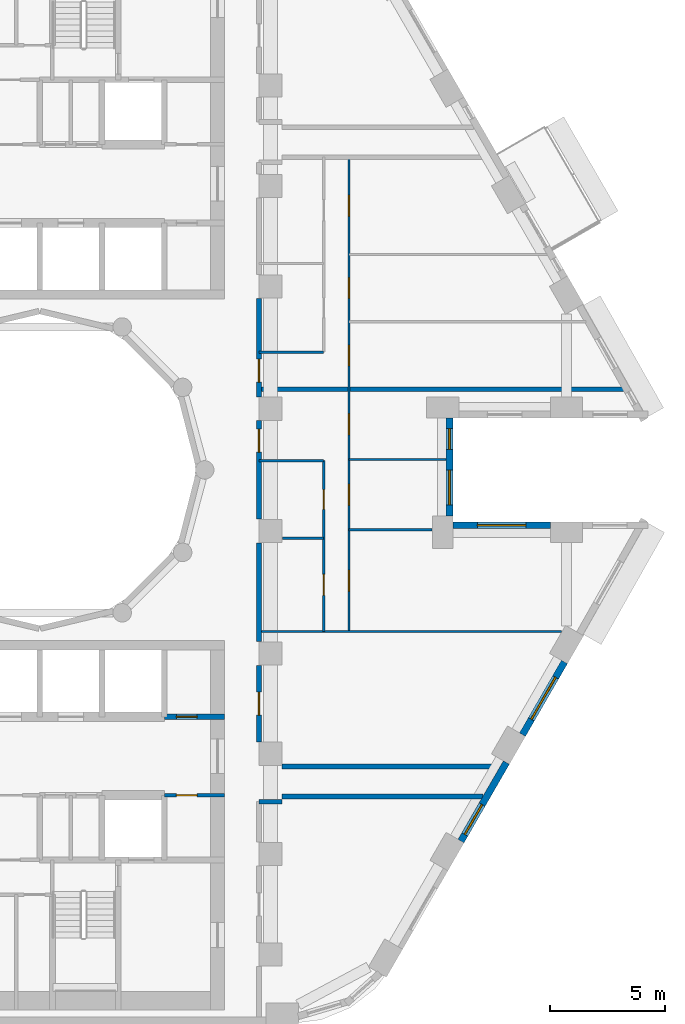
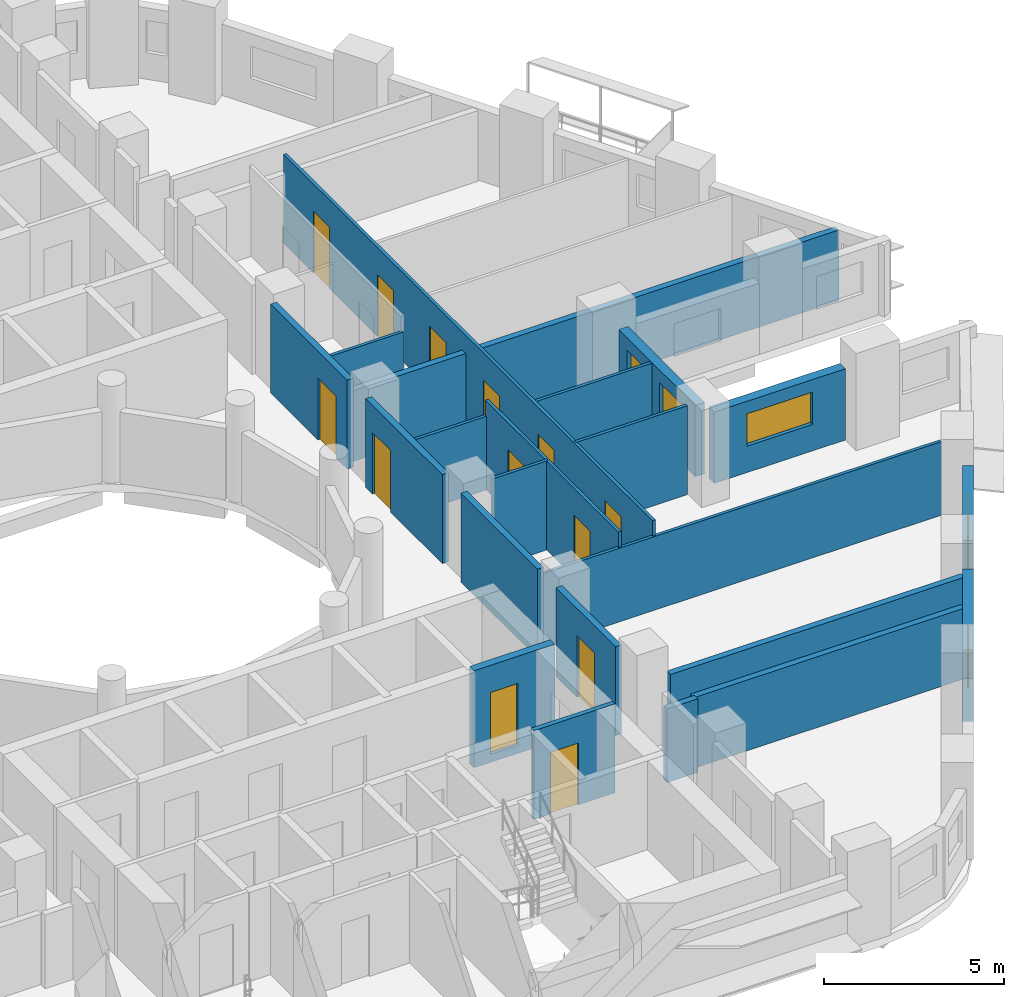
# One storey, part 5 of 13: 22 walls, 13 doors, 5 windows, 18 openings.
"""IFC4 building model written with IfcOpenShell, lengths in metres."""

from ifc_helpers import new_model, si_unit, direction, frame, frame_2d, origin, place, context, subcontext, project, spatial, rectangle, extrude, material, layer, layer_set, type_object, element, fill, save


model = new_model("IFC4")

# Units and contexts
model_context = context("Model", 3, precision=1e-05, world=origin(), true_north=direction((0.0, 1.0)))
body_context = subcontext(model_context, "Body", "Model", "MODEL_VIEW")
ifc_project = project(units=[si_unit("LENGTHUNIT", "METRE"), si_unit("AREAUNIT", "SQUARE_METRE"), si_unit("VOLUMEUNIT", "CUBIC_METRE"), si_unit("PLANEANGLEUNIT", "RADIAN"), si_unit("MASSUNIT", "GRAM", prefix="KILO")], contexts=[model_context])

# Site, building, storey
site_placement = place(None, origin())
site = spatial("IfcSite", under=ifc_project, at=site_placement, CompositionType="ELEMENT")
building_placement = place(site_placement, origin())
building = spatial("IfcBuilding", under=site, at=building_placement, Name="Nakaniwa Court", CompositionType="ELEMENT")
storey_placement = place(building_placement, frame((0.0, 0.0, 84.300048828125)))
storey = spatial("IfcBuildingStorey", under=building, at=storey_placement, Name="L21", CompositionType="ELEMENT", Elevation=84.300048828125)

# Wall, opening, door
ifc_material_1 = material(Name="Acoustic double stud partition")
ifc_layer_1 = layer(ifc_material_1, 0.199951171875)
ifc_layer_set_1 = layer_set([ifc_layer_1], Name="Acoustic double stud partition")
wall_type_1 = type_object("IfcWallType", Name="Acoustic double stud partition 200", PredefinedType="PARTITIONING", material=ifc_layer_set_1)
wall_1_placement = place(storey_placement, frame((89.5, 71.532958984375, 0.0), z_axis=(0.0, 0.0, 1.0), x_axis=(0.0, -1.0, 0.0)))
wall_1 = element("IfcWall", 1, at=wall_1_placement, inside=storey, type_object=wall_type_1, Name="Partition PW-072", PredefinedType="PARTITIONING", context=body_context, shape_type="SweptSolid", body=[
    extrude(rectangle(XDim=3.31591796875, YDim=0.199951171875, at=frame_2d((1.657958984375, 0.0))), origin(), (0.0, 0.0, 1.0), 3.02490234375),
])
opening_1_placement = place(wall_1_placement, frame((1.157958984375, 0.0, 0.0)))
opening_1 = element("IfcOpeningElement", 2, at=opening_1_placement, cuts=wall_1, Name="Opening D-02-01", PredefinedType="OPENING", context=body_context, shape_type="SweptSolid", body=[
    extrude(rectangle(XDim=1.0, YDim=2.10009765625, at=frame_2d((0.5, 1.050048828125))), frame((0.0, 0.10986328125, 0.0), z_axis=(0.0, -1.0, 0.0), x_axis=(1.0, 0.0, 0.0)), (0.0, 0.0, 1.0), 0.219970703125),
])
ifc_material_2 = material(Name="Solid core timber door set, black veneer", Category="wood")
door_type_1 = type_object("IfcDoorType", Name="Internal door 1000", OperationType="NOTDEFINED", PredefinedType="DOOR", material=ifc_material_2)
door_1_placement = place(opening_1_placement, origin())
door_1 = element("IfcDoor", 3, at=door_1_placement, inside=storey, type_object=door_type_1, Name="Door D-02-01 L21-027", OperationType="SINGLE_SWING_RIGHT", OverallHeight=2.10009765625, OverallWidth=1.0, PredefinedType="DOOR", context=body_context, shape_type="SweptSolid", body=[
    extrude(rectangle(XDim=1.0, YDim=2.10009765625, at=frame_2d((0.5, 1.050048828125))), frame((0.0, 0.02490234375, 0.0), z_axis=(0.0, -1.0, 0.0), x_axis=(1.0, 0.0, 0.0)), (0.0, 0.0, 1.0), 0.050048828125),
])
fill(opening_1, door_1)

# Wall
wall_2_placement = place(storey_placement, frame((89.5, 72.56689453125, 0.0), z_axis=(0.0, 0.0, 1.0), x_axis=(0.0, 1.0, 0.0)))
element("IfcWall", 4, at=wall_2_placement, inside=storey, type_object=wall_type_1, Name="Partition PW-073", PredefinedType="PARTITIONING", context=body_context, shape_type="SweptSolid", body=[
    extrude(rectangle(XDim=4.26611328125, YDim=0.199951171875, at=frame_2d((2.133056640625, 0.0))), origin(), (0.0, 0.0, 1.0), 3.02490234375),
])

# Wall, opening, door
wall_3_placement = place(storey_placement, frame((89.5, 82.133056640625, 0.0), z_axis=(0.0, 0.0, 1.0), x_axis=(0.0, -1.0, 0.0)))
wall_3 = element("IfcWall", 5, at=wall_3_placement, inside=storey, type_object=wall_type_1, Name="Partition PW-074", PredefinedType="PARTITIONING", context=body_context, shape_type="SweptSolid", body=[
    extrude(rectangle(XDim=4.26611328125, YDim=0.199951171875, at=frame_2d((2.133056640625, 0.0))), origin(), (0.0, 0.0, 1.0), 3.02490234375),
])
opening_2_placement = place(wall_3_placement, frame((0.367919921875, 0.0, 0.0)))
opening_2 = element("IfcOpeningElement", 6, at=opening_2_placement, cuts=wall_3, Name="Opening D-01-01", PredefinedType="OPENING", context=body_context, shape_type="SweptSolid", body=[
    extrude(rectangle(XDim=1.0, YDim=2.10009765625, at=frame_2d((0.5, 1.050048828125))), frame((0.0, 0.10986328125, 0.0), z_axis=(0.0, -1.0, 0.0), x_axis=(1.0, 0.0, 0.0)), (0.0, 0.0, 1.0), 0.219970703125),
])
door_type_2 = type_object("IfcDoorType", Name="Flat entrance door 1000", OperationType="NOTDEFINED", PredefinedType="DOOR", material=ifc_material_2)
door_2_placement = place(opening_2_placement, origin())
door_2 = element("IfcDoor", 7, at=door_2_placement, inside=storey, type_object=door_type_2, Name="Door D-01-01 L21-028", OperationType="SINGLE_SWING_LEFT", OverallHeight=2.10009765625, OverallWidth=1.0, PredefinedType="DOOR", context=body_context, shape_type="SweptSolid", body=[
    extrude(rectangle(XDim=1.0, YDim=2.10009765625, at=frame_2d((0.5, 1.050048828125))), frame((0.0, 0.02490234375, 0.0), z_axis=(0.0, -1.0, 0.0), x_axis=(1.0, 0.0, 0.0)), (0.0, 0.0, 1.0), 0.050048828125),
])
fill(opening_2, door_2)

wall_4_placement = place(storey_placement, frame((89.5, 87.43310546875, 0.0), z_axis=(0.0, 0.0, 1.0), x_axis=(0.0, -1.0, 0.0)))
wall_4 = element("IfcWall", 8, at=wall_4_placement, inside=storey, type_object=wall_type_1, Name="Partition PW-075", PredefinedType="PARTITIONING", context=body_context, shape_type="SweptSolid", body=[
    extrude(rectangle(XDim=4.26611328125, YDim=0.199951171875, at=frame_2d((2.133056640625, 0.0))), origin(), (0.0, 0.0, 1.0), 3.02490234375),
])
opening_3_placement = place(wall_4_placement, frame((2.633056640625, 0.0, 0.0)))
opening_3 = element("IfcOpeningElement", 9, at=opening_3_placement, cuts=wall_4, Name="Opening D-01-02", PredefinedType="OPENING", context=body_context, shape_type="SweptSolid", body=[
    extrude(rectangle(XDim=1.0, YDim=2.10009765625, at=frame_2d((0.5, 1.050048828125))), frame((0.0, 0.10986328125, 0.0), z_axis=(0.0, -1.0, 0.0), x_axis=(1.0, 0.0, 0.0)), (0.0, 0.0, 1.0), 0.219970703125),
])
door_3_placement = place(opening_3_placement, origin())
door_3 = element("IfcDoor", 10, at=door_3_placement, inside=storey, type_object=door_type_2, Name="Door D-01-02 L21-034", OperationType="SINGLE_SWING_LEFT", OverallHeight=2.10009765625, OverallWidth=1.0, PredefinedType="DOOR", context=body_context, shape_type="SweptSolid", body=[
    extrude(rectangle(XDim=1.0, YDim=2.10009765625, at=frame_2d((0.5, 1.050048828125))), frame((0.0, 0.02490234375, 0.0), z_axis=(0.0, -1.0, 0.0), x_axis=(1.0, 0.0, 0.0)), (0.0, 0.0, 1.0), 0.050048828125),
])
fill(opening_3, door_3)

# Walls
wall_5_placement = place(storey_placement, frame((90.5, 67.14990234375, 0.0), z_axis=(0.0, 0.0, 1.0), x_axis=(1.0, 0.0, 0.0)))
element("IfcWall", 11, at=wall_5_placement, inside=storey, type_object=wall_type_1, Name="Partition PW-090", PredefinedType="PARTITIONING", context=body_context, shape_type="SweptSolid", body=[
    extrude(rectangle(XDim=9.447509765625, YDim=0.199951171875, at=frame_2d((4.7236328125, 0.0))), origin(), (0.0, 0.0, 1.0), 2.405029296875),
])
wall_6_placement = place(storey_placement, frame((90.5, 65.85009765625, 0.0), z_axis=(0.0, 0.0, 1.0), x_axis=(1.0, 0.0, 0.0)))
element("IfcWall", 12, at=wall_6_placement, inside=storey, type_object=wall_type_1, Name="Partition PW-092", PredefinedType="PARTITIONING", context=body_context, shape_type="SweptSolid", body=[
    extrude(rectangle(XDim=8.697021484375, YDim=0.199951171875, at=frame_2d((4.3486328125, 0.0))), origin(), (0.0, 0.0, 1.0), 2.405029296875),
])
wall_7_placement = place(storey_placement, frame((89.5, 65.625, 0.0), z_axis=(0.0, 0.0, 1.0), x_axis=(1.0, 0.0, 0.0)))
element("IfcWall", 13, at=wall_7_placement, inside=storey, type_object=wall_type_1, Name="Partition PW-094", PredefinedType="PARTITIONING", context=body_context, shape_type="SweptSolid", body=[
    extrude(rectangle(XDim=1.0, YDim=0.199951171875, at=frame_2d((0.5, 0.0))), origin(), (0.0, 0.0, 1.0), 2.5048828125),
])
wall_8_placement = place(storey_placement, frame((89.5, 83.5, 0.0), z_axis=(0.0, 0.0, 1.0), x_axis=(1.0, 0.0, 0.0)))
element("IfcWall", 14, at=wall_8_placement, inside=storey, type_object=wall_type_1, Name="Partition PW-113", PredefinedType="PARTITIONING", context=body_context, shape_type="SweptSolid", body=[
    extrude(rectangle(XDim=15.845703125, YDim=0.199951171875, at=frame_2d((7.9228515625, 0.0))), origin(), (0.0, 0.0, 1.0), 2.405029296875),
])

# Wall, opening, window
ifc_material_3 = material(Name="Charcoal ceramic cladding")
ifc_layer_2 = layer(ifc_material_3, 0.02, Name="Ceramic cladding")
ifc_material_4 = material(Name="Ventilated air cavity")
ifc_layer_3 = layer(ifc_material_4, 0.04, ventilated=True, Name="Ventilated cavity")
ifc_material_5 = material(Name="Mineral wool insulation")
ifc_layer_4 = layer(ifc_material_5, 0.1, Name="Insulation")
ifc_material_6 = material(Name="Cement bonded sheathing board")
ifc_layer_5 = layer(ifc_material_6, 0.012, Name="Sheathing")
ifc_material_7 = material(Name="Cold-formed galvanised stud frame with mineral wool infill")
ifc_layer_6 = layer(ifc_material_7, 0.1, Name="Stud frame")
ifc_material_8 = material(Name="Fire-rated gypsum plasterboard lining")
ifc_layer_7 = layer(ifc_material_8, 0.028, Name="Lining")
ifc_layer_set_2 = layer_set([ifc_layer_2, ifc_layer_3, ifc_layer_4, ifc_layer_5, ifc_layer_6, ifc_layer_7], Name="Charcoal ceramic faced external wall system")
wall_type_2 = type_object("IfcWallType", Name="Black ceramic faced external wall 300", PredefinedType="SOLIDWALL", material=ifc_layer_set_2)
wall_9_placement = place(storey_placement, frame((98.25341796875, 63.91552734375, 0.0), z_axis=(0.0, 0.0, 1.0), x_axis=(0.499957037901, 0.866050206543, 0.0)))
wall_9 = element("IfcWall", 15, at=wall_9_placement, inside=storey, type_object=wall_type_2, Name="L21 external wall 30", PredefinedType="SOLIDWALL", context=body_context, shape_type="SweptSolid", body=[
    extrude(rectangle(XDim=3.933837890625, YDim=0.300048828125, at=frame_2d((1.966796875, 0.0))), origin(), (0.0, 0.0, 1.0), 2.425048828125),
])
opening_4_placement = place(wall_9_placement, frame((0.32958984375, 0.0, 0.89990234375)))
opening_4 = element("IfcOpeningElement", 16, at=opening_4_placement, cuts=wall_9, Name="Opening W5.30", PredefinedType="OPENING", context=body_context, shape_type="SweptSolid", body=[
    extrude(rectangle(XDim=1.5, YDim=1.10009765625, at=frame_2d((0.75, 0.550048828125))), frame((0.0, 0.159912109375, 0.0), z_axis=(0.0, -1.0, 0.0), x_axis=(1.0, 0.0, 0.0)), (0.0, 0.0, 1.0), 0.320068359375),
])
ifc_material_9 = material(Name="Black anodised aluminium frame with dark low-E laminated double glazing", Category="aluminium")
window_type_1 = type_object("IfcWindowType", Name="Dark glass window 1500x1100 sill 900", PartitioningType="SINGLE_PANEL", PredefinedType="WINDOW", material=ifc_material_9)
window_1_placement = place(opening_4_placement, origin())
window_1 = element("IfcWindow", 17, at=window_1_placement, inside=storey, type_object=window_type_1, Name="L21 habitable room window 30-0", OverallHeight=1.10009765625, OverallWidth=1.5, PartitioningType="SINGLE_PANEL", PredefinedType="WINDOW", context=body_context, shape_type="SweptSolid", body=[
    extrude(rectangle(XDim=1.5, YDim=1.10009765625, at=frame_2d((0.75, 0.550048828125))), frame((0.0, 0.030029296875, 0.0), z_axis=(0.0, -1.0, 0.0), x_axis=(1.0, 0.0, 0.0)), (0.0, 0.0, 1.0), 0.06005859375),
])
fill(opening_4, window_1)

wall_10_placement = place(storey_placement, frame((100.916259765625, 68.528076171875, 0.0), z_axis=(0.0, 0.0, 1.0), x_axis=(0.500009139881, 0.866020126807, 0.0)))
wall_10 = element("IfcWall", 18, at=wall_10_placement, inside=storey, type_object=wall_type_2, Name="L21 external wall 31", PredefinedType="SOLIDWALL", context=body_context, shape_type="SweptSolid", body=[
    extrude(rectangle(XDim=3.63671875, YDim=0.300048828125, at=frame_2d((1.818359375, 0.0))), origin(), (0.0, 0.0, 1.0), 2.425048828125),
])
opening_5_placement = place(wall_10_placement, frame((0.768310546875, 0.0, 0.89990234375)))
opening_5 = element("IfcOpeningElement", 19, at=opening_5_placement, cuts=wall_10, Name="Opening W7.31", PredefinedType="OPENING", context=body_context, shape_type="SweptSolid", body=[
    extrude(rectangle(XDim=2.10009765625, YDim=1.10009765625, at=frame_2d((1.050048828125, 0.550048828125))), frame((0.0, 0.159912109375, 0.0), z_axis=(0.0, -1.0, 0.0), x_axis=(1.0, 0.0, 0.0)), (0.0, 0.0, 1.0), 0.320068359375),
])
window_type_2 = type_object("IfcWindowType", Name="Dark glass window 2100x1100 sill 900", PartitioningType="SINGLE_PANEL", PredefinedType="WINDOW", material=ifc_material_9)
window_2_placement = place(opening_5_placement, origin())
window_2 = element("IfcWindow", 20, at=window_2_placement, inside=storey, type_object=window_type_2, Name="L21 habitable room window 31-0", OverallHeight=1.10009765625, OverallWidth=2.10009765625, PartitioningType="SINGLE_PANEL", PredefinedType="WINDOW", context=body_context, shape_type="SweptSolid", body=[
    extrude(rectangle(XDim=2.10009765625, YDim=1.10009765625, at=frame_2d((1.050048828125, 0.550048828125))), frame((0.0, 0.030029296875, 0.0), z_axis=(0.0, -1.0, 0.0), x_axis=(1.0, 0.0, 0.0)), (0.0, 0.0, 1.0), 0.06005859375),
])
fill(opening_5, window_2)

wall_11_placement = place(storey_placement, frame((102.126953125, 77.60009765625, 0.0), z_axis=(0.0, 0.0, 1.0), x_axis=(-1.0, 0.0, 0.0)))
wall_11 = element("IfcWall", 21, at=wall_11_placement, inside=storey, type_object=wall_type_2, Name="L21 external wall 34", PredefinedType="SOLIDWALL", context=body_context, shape_type="SweptSolid", body=[
    extrude(rectangle(XDim=4.22265625, YDim=0.300048828125, at=frame_2d((2.111328125, 0.0))), origin(), (0.0, 0.0, 1.0), 2.425048828125),
])
opening_6_placement = place(wall_11_placement, frame((1.061279296875, 0.0, 0.89990234375)))
opening_6 = element("IfcOpeningElement", 22, at=opening_6_placement, cuts=wall_11, Name="Opening W7.34", PredefinedType="OPENING", context=body_context, shape_type="SweptSolid", body=[
    extrude(rectangle(XDim=2.10009765625, YDim=1.10009765625, at=frame_2d((1.050048828125, 0.550048828125))), frame((0.0, 0.159912109375, 0.0), z_axis=(0.0, -1.0, 0.0), x_axis=(1.0, 0.0, 0.0)), (0.0, 0.0, 1.0), 0.320068359375),
])
window_3_placement = place(opening_6_placement, origin())
window_3 = element("IfcWindow", 23, at=window_3_placement, inside=storey, type_object=window_type_2, Name="L21 living window 34-0", OverallHeight=1.10009765625, OverallWidth=2.10009765625, PartitioningType="SINGLE_PANEL", PredefinedType="WINDOW", context=body_context, shape_type="SweptSolid", body=[
    extrude(rectangle(XDim=2.10009765625, YDim=1.10009765625, at=frame_2d((1.050048828125, 0.550048828125))), frame((0.0, 0.030029296875, 0.0), z_axis=(0.0, -1.0, 0.0), x_axis=(1.0, 0.0, 0.0)), (0.0, 0.0, 1.0), 0.06005859375),
])
fill(opening_6, window_3)

# Wall, openings, windows
wall_12_placement = place(storey_placement, frame((97.75830078125, 77.99609375, 0.0), z_axis=(0.0, 0.0, 1.0), x_axis=(0.0, 1.0, 0.0)))
wall_12 = element("IfcWall", 24, at=wall_12_placement, inside=storey, type_object=wall_type_2, Name="L21 external wall 35", PredefinedType="SOLIDWALL", context=body_context, shape_type="SweptSolid", body=[
    extrude(rectangle(XDim=4.2578125, YDim=0.300048828125, at=frame_2d((2.12890625, 0.0))), origin(), (0.0, 0.0, 1.0), 2.425048828125),
])
opening_7_placement = place(wall_12_placement, frame((0.48974609375, 0.0, 0.89990234375)))
opening_7 = element("IfcOpeningElement", 25, at=opening_7_placement, cuts=wall_12, Name="Opening W5.35", PredefinedType="OPENING", context=body_context, shape_type="SweptSolid", body=[
    extrude(rectangle(XDim=1.5, YDim=1.10009765625, at=frame_2d((0.75, 0.550048828125))), frame((0.0, 0.159912109375, 0.0), z_axis=(0.0, -1.0, 0.0), x_axis=(1.0, 0.0, 0.0)), (0.0, 0.0, 1.0), 0.320068359375),
])
opening_8_placement = place(wall_12_placement, frame((2.894775390625, 0.0, 0.89990234375)))
opening_8 = element("IfcOpeningElement", 26, at=opening_8_placement, cuts=wall_12, Name="Opening W9.36", PredefinedType="OPENING", context=body_context, shape_type="SweptSolid", body=[
    extrude(rectangle(XDim=0.89990234375, YDim=1.10009765625, at=frame_2d((0.449951171875, 0.550048828125))), frame((0.0, 0.159912109375, 0.0), z_axis=(0.0, -1.0, 0.0), x_axis=(1.0, 0.0, 0.0)), (0.0, 0.0, 1.0), 0.320068359375),
])
window_4_placement = place(opening_7_placement, origin())
window_4 = element("IfcWindow", 27, at=window_4_placement, inside=storey, type_object=window_type_1, Name="L21 bedroom window 35-0", OverallHeight=1.10009765625, OverallWidth=1.5, PartitioningType="SINGLE_PANEL", PredefinedType="WINDOW", context=body_context, shape_type="SweptSolid", body=[
    extrude(rectangle(XDim=1.5, YDim=1.10009765625, at=frame_2d((0.75, 0.550048828125))), frame((0.0, 0.030029296875, 0.0), z_axis=(0.0, -1.0, 0.0), x_axis=(1.0, 0.0, 0.0)), (0.0, 0.0, 1.0), 0.06005859375),
])
fill(opening_7, window_4)
window_type_3 = type_object("IfcWindowType", Name="Dark glass window 900x1100 sill 900", PartitioningType="SINGLE_PANEL", PredefinedType="WINDOW", material=ifc_material_9)
window_5_placement = place(opening_8_placement, origin())
window_5 = element("IfcWindow", 28, at=window_5_placement, inside=storey, type_object=window_type_3, Name="L21 bedroom window 35-1", OverallHeight=1.10009765625, OverallWidth=0.89990234375, PartitioningType="SINGLE_PANEL", PredefinedType="WINDOW", context=body_context, shape_type="SweptSolid", body=[
    extrude(rectangle(XDim=0.89990234375, YDim=1.10009765625, at=frame_2d((0.449951171875, 0.550048828125))), frame((0.0, 0.030029296875, 0.0), z_axis=(0.0, -1.0, 0.0), x_axis=(1.0, 0.0, 0.0)), (0.0, 0.0, 1.0), 0.06005859375),
])
fill(opening_8, window_5)

# Wall, opening, door
ifc_material_10 = material(Name="Blockwork partition", Category="masonry")
ifc_layer_8 = layer(ifc_material_10, 0.14990234375)
ifc_layer_set_3 = layer_set([ifc_layer_8], Name="Blockwork partition")
wall_type_3 = type_object("IfcWallType", Name="Blockwork partition 150", PredefinedType="PARTITIONING", material=ifc_layer_set_3)
wall_13_placement = place(storey_placement, frame((88.0, 65.89990234375, 0.0), z_axis=(0.0, 0.0, 1.0), x_axis=(-1.0, 0.0, 0.0)))
wall_13 = element("IfcWall", 29, at=wall_13_placement, inside=storey, type_object=wall_type_3, Name="Partition PW-052", PredefinedType="PARTITIONING", context=body_context, shape_type="SweptSolid", body=[
    extrude(rectangle(XDim=2.60302734375, YDim=0.14990234375, at=frame_2d((1.301513671875, 0.0))), origin(), (0.0, 0.0, 1.0), 3.02490234375),
])
opening_9_placement = place(wall_13_placement, frame((1.175048828125, 0.0, 0.0)))
opening_9 = element("IfcOpeningElement", 30, at=opening_9_placement, cuts=wall_13, Name="Opening D-05-14", PredefinedType="OPENING", context=body_context, shape_type="SweptSolid", body=[
    extrude(rectangle(XDim=0.89990234375, YDim=2.10009765625, at=frame_2d((0.449951171875, 1.050048828125))), frame((0.0, 0.0849609375, 0.0), z_axis=(0.0, -1.0, 0.0), x_axis=(1.0, 0.0, 0.0)), (0.0, 0.0, 1.0), 0.169921875),
])
ifc_material_11 = material(Name="Fire rated steel door set", Category="steel")
door_type_3 = type_object("IfcDoorType", Name="Service room door 900", OperationType="NOTDEFINED", PredefinedType="DOOR", material=ifc_material_11)
door_4_placement = place(opening_9_placement, origin())
door_4 = element("IfcDoor", 31, at=door_4_placement, inside=storey, type_object=door_type_3, Name="Door D-05-14 L21-021", OperationType="SINGLE_SWING_RIGHT", OverallHeight=2.10009765625, OverallWidth=0.89990234375, PredefinedType="DOOR", context=body_context, shape_type="SweptSolid", body=[
    extrude(rectangle(XDim=0.89990234375, YDim=2.10009765625, at=frame_2d((0.449951171875, 1.050048828125))), frame((0.0, 0.02490234375, 0.0), z_axis=(0.0, -1.0, 0.0), x_axis=(1.0, 0.0, 0.0)), (0.0, 0.0, 1.0), 0.050048828125),
])
fill(opening_9, door_4)

ifc_material_12 = material(Name="Concrete C80/100", Category="concrete")
ifc_layer_9 = layer(ifc_material_12, 0.25)
ifc_layer_set_4 = layer_set([ifc_layer_9], Name="Concrete C80/100")
wall_type_4 = type_object("IfcWallType", Name="Concrete shaft wall 250 C80", PredefinedType="SHEAR", material=ifc_layer_set_4)
wall_14_placement = place(storey_placement, frame((85.39990234375, 69.300048828125, -0.275146484375), z_axis=(0.0, 0.0, 1.0), x_axis=(1.0, 0.0, 0.0)))
wall_14 = element("IfcWall", 32, at=wall_14_placement, inside=storey, type_object=wall_type_4, Name="Core wall SW-48", PredefinedType="SHEAR", context=body_context, shape_type="SweptSolid", body=[
    extrude(rectangle(XDim=2.60009765625, YDim=0.25, at=frame_2d((1.300048828125, 0.0))), origin(), (0.0, 0.0, 1.0), 3.300048828125),
])
opening_10_placement = place(wall_14_placement, frame((0.52490234375, 0.0, 0.27490234375)))
opening_10 = element("IfcOpeningElement", 33, at=opening_10_placement, cuts=wall_14, Name="Opening D-05-10", PredefinedType="OPENING", context=body_context, shape_type="SweptSolid", body=[
    extrude(rectangle(XDim=0.89990234375, YDim=2.10009765625, at=frame_2d((0.449951171875, 1.050048828125))), frame((0.0, 0.135009765625, 0.0), z_axis=(0.0, -1.0, 0.0), x_axis=(1.0, 0.0, 0.0)), (0.0, 0.0, 1.0), 0.27001953125),
])
door_5_placement = place(opening_10_placement, origin())
door_5 = element("IfcDoor", 34, at=door_5_placement, inside=storey, type_object=door_type_3, Name="Door D-05-10 L21-015", OperationType="SINGLE_SWING_RIGHT", OverallHeight=2.10009765625, OverallWidth=0.89990234375, PredefinedType="DOOR", context=body_context, shape_type="SweptSolid", body=[
    extrude(rectangle(XDim=0.89990234375, YDim=2.10009765625, at=frame_2d((0.449951171875, 1.050048828125))), frame((0.0, 0.02490234375, 0.0), z_axis=(0.0, -1.0, 0.0), x_axis=(1.0, 0.0, 0.0)), (0.0, 0.0, 1.0), 0.050048828125),
])
fill(opening_10, door_5)

# Walls
ifc_material_13 = material(Name="Single stud plasterboard partition")
ifc_layer_10 = layer(ifc_material_13, 0.10009765625)
ifc_layer_set_5 = layer_set([ifc_layer_10], Name="Single stud plasterboard partition")
wall_type_5 = type_object("IfcWallType", Name="Single stud plasterboard partition 100", PredefinedType="PARTITIONING", material=ifc_layer_set_5)
wall_15_placement = place(storey_placement, frame((89.5, 73.0, 0.0), z_axis=(0.0, 0.0, 1.0), x_axis=(1.0, 0.0, 0.0)))
element("IfcWall", 35, at=wall_15_placement, inside=storey, type_object=wall_type_5, Name="Partition PW-107", PredefinedType="PARTITIONING", context=body_context, shape_type="SweptSolid", body=[
    extrude(rectangle(XDim=13.109130859375, YDim=0.10009765625, at=frame_2d((6.5546875, 0.0))), origin(), (0.0, 0.0, 1.0), 2.5048828125),
])
wall_16_placement = place(storey_placement, frame((90.52001953125, 77.035888671875, 0.0), z_axis=(0.0, 0.0, 1.0), x_axis=(1.0, 0.0, 0.0)))
element("IfcWall", 36, at=wall_16_placement, inside=storey, type_object=wall_type_5, Name="Partition PW-108", PredefinedType="PARTITIONING", context=body_context, shape_type="SweptSolid", body=[
    extrude(rectangle(XDim=1.780029296875, YDim=0.10009765625, at=frame_2d((0.89013671875, 0.0))), origin(), (0.0, 0.0, 1.0), 3.02490234375),
])

# Wall, openings, doors
wall_17_placement = place(storey_placement, frame((92.300048828125, 73.0, 0.0), z_axis=(0.0, 0.0, 1.0), x_axis=(0.0, 1.0, 0.0)))
wall_17 = element("IfcWall", 37, at=wall_17_placement, inside=storey, type_object=wall_type_5, Name="Partition PW-109", PredefinedType="PARTITIONING", context=body_context, shape_type="SweptSolid", body=[
    extrude(rectangle(XDim=7.39990234375, YDim=0.10009765625, at=frame_2d((3.699951171875, 0.0))), origin(), (0.0, 0.0, 1.0), 3.02490234375),
])
opening_11_placement = place(wall_17_placement, frame((1.568115234375, 0.0, 0.0)))
opening_11 = element("IfcOpeningElement", 38, at=opening_11_placement, cuts=wall_17, Name="Opening D-33-01", PredefinedType="OPENING", context=body_context, shape_type="SweptSolid", body=[
    extrude(rectangle(XDim=0.89990234375, YDim=2.10009765625, at=frame_2d((0.449951171875, 1.050048828125))), frame((0.0, 0.06005859375, 0.0), z_axis=(0.0, -1.0, 0.0), x_axis=(1.0, 0.0, 0.0)), (0.0, 0.0, 1.0), 0.1201171875),
])
opening_12_placement = place(wall_17_placement, frame((5.29296875, 0.0, 0.0)))
opening_12 = element("IfcOpeningElement", 39, at=opening_12_placement, cuts=wall_17, Name="Opening D-03-01", PredefinedType="OPENING", context=body_context, shape_type="SweptSolid", body=[
    extrude(rectangle(XDim=0.85009765625, YDim=2.10009765625, at=frame_2d((0.425048828125, 1.050048828125))), frame((0.0, 0.06005859375, 0.0), z_axis=(0.0, -1.0, 0.0), x_axis=(1.0, 0.0, 0.0)), (0.0, 0.0, 1.0), 0.1201171875),
])
ifc_material_14 = material(Name="Moisture sealed timber door set", Category="wood")
door_type_4 = type_object("IfcDoorType", Name="Bathroom door 850", OperationType="NOTDEFINED", PredefinedType="DOOR", material=ifc_material_14)
door_6_placement = place(opening_12_placement, origin())
door_6 = element("IfcDoor", 40, at=door_6_placement, inside=storey, type_object=door_type_4, Name="Door D-03-01 L21-030", OperationType="SINGLE_SWING_LEFT", OverallHeight=2.10009765625, OverallWidth=0.85009765625, PredefinedType="DOOR", context=body_context, shape_type="SweptSolid", body=[
    extrude(rectangle(XDim=0.85009765625, YDim=2.10009765625, at=frame_2d((0.425048828125, 1.050048828125))), frame((0.0, 0.02490234375, 0.0), z_axis=(0.0, -1.0, 0.0), x_axis=(1.0, 0.0, 0.0)), (0.0, 0.0, 1.0), 0.050048828125),
])
fill(opening_12, door_6)
door_type_5 = type_object("IfcDoorType", Name="Internal door 900", OperationType="NOTDEFINED", PredefinedType="DOOR", material=ifc_material_2)
door_7_placement = place(opening_11_placement, origin())
door_7 = element("IfcDoor", 41, at=door_7_placement, inside=storey, type_object=door_type_5, Name="Door D-33-01 L21-029", OperationType="SINGLE_SWING_RIGHT", OverallHeight=2.10009765625, OverallWidth=0.89990234375, PredefinedType="DOOR", context=body_context, shape_type="SweptSolid", body=[
    extrude(rectangle(XDim=0.89990234375, YDim=2.10009765625, at=frame_2d((0.449951171875, 1.050048828125))), frame((0.0, 0.02490234375, 0.0), z_axis=(0.0, -1.0, 0.0), x_axis=(1.0, 0.0, 0.0)), (0.0, 0.0, 1.0), 0.050048828125),
])
fill(opening_11, door_7)

# Wall
wall_18_placement = place(storey_placement, frame((89.5, 80.39990234375, 0.0), z_axis=(0.0, 0.0, 1.0), x_axis=(1.0, 0.0, 0.0)))
element("IfcWall", 42, at=wall_18_placement, inside=storey, type_object=wall_type_5, Name="Partition PW-111", PredefinedType="PARTITIONING", context=body_context, shape_type="SweptSolid", body=[
    extrude(rectangle(XDim=2.800048828125, YDim=0.10009765625, at=frame_2d((1.39990234375, 0.0))), origin(), (0.0, 0.0, 1.0), 2.5048828125),
])

# Wall, openings, doors
wall_19_placement = place(storey_placement, frame((93.39990234375, 93.550048828125, 0.0), z_axis=(0.0, 0.0, 1.0), x_axis=(0.0, -1.0, 0.0)))
wall_19 = element("IfcWall", 43, at=wall_19_placement, inside=storey, type_object=wall_type_5, Name="Partition PW-112", PredefinedType="PARTITIONING", context=body_context, shape_type="SweptSolid", body=[
    extrude(rectangle(XDim=20.550048828125, YDim=0.10009765625, at=frame_2d((10.27490234375, 0.0))), origin(), (0.0, 0.0, 1.0), 3.02490234375),
])
opening_13_placement = place(wall_19_placement, frame((17.89794921875, 0.0, 0.0)))
opening_13 = element("IfcOpeningElement", 44, at=opening_13_placement, cuts=wall_19, Name="Opening D-33-02", PredefinedType="OPENING", context=body_context, shape_type="SweptSolid", body=[
    extrude(rectangle(XDim=0.89990234375, YDim=2.10009765625, at=frame_2d((0.449951171875, 1.050048828125))), frame((0.0, 0.06005859375, 0.0), z_axis=(0.0, -1.0, 0.0), x_axis=(1.0, 0.0, 0.0)), (0.0, 0.0, 1.0), 0.1201171875),
])
opening_14_placement = place(wall_19_placement, frame((14.173095703125, 0.0, 0.0)))
opening_14 = element("IfcOpeningElement", 45, at=opening_14_placement, cuts=wall_19, Name="Opening D-33-03", PredefinedType="OPENING", context=body_context, shape_type="SweptSolid", body=[
    extrude(rectangle(XDim=0.89990234375, YDim=2.10009765625, at=frame_2d((0.449951171875, 1.050048828125))), frame((0.0, 0.06005859375, 0.0), z_axis=(0.0, -1.0, 0.0), x_axis=(1.0, 0.0, 0.0)), (0.0, 0.0, 1.0), 0.1201171875),
])
opening_15_placement = place(wall_19_placement, frame((11.1240234375, 0.0, 0.0)))
opening_15 = element("IfcOpeningElement", 46, at=opening_15_placement, cuts=wall_19, Name="Opening D-33-04", PredefinedType="OPENING", context=body_context, shape_type="SweptSolid", body=[
    extrude(rectangle(XDim=0.89990234375, YDim=2.10009765625, at=frame_2d((0.449951171875, 1.050048828125))), frame((0.0, 0.06005859375, 0.0), z_axis=(0.0, -1.0, 0.0), x_axis=(1.0, 0.0, 0.0)), (0.0, 0.0, 1.0), 0.1201171875),
])
opening_16_placement = place(wall_19_placement, frame((8.14111328125, 0.0, 0.0)))
opening_16 = element("IfcOpeningElement", 47, at=opening_16_placement, cuts=wall_19, Name="Opening D-33-06", PredefinedType="OPENING", context=body_context, shape_type="SweptSolid", body=[
    extrude(rectangle(XDim=0.89990234375, YDim=2.10009765625, at=frame_2d((0.449951171875, 1.050048828125))), frame((0.0, 0.06005859375, 0.0), z_axis=(0.0, -1.0, 0.0), x_axis=(1.0, 0.0, 0.0)), (0.0, 0.0, 1.0), 0.1201171875),
])
opening_17_placement = place(wall_19_placement, frame((5.222900390625, 0.0, 0.0)))
opening_17 = element("IfcOpeningElement", 48, at=opening_17_placement, cuts=wall_19, Name="Opening D-33-07", PredefinedType="OPENING", context=body_context, shape_type="SweptSolid", body=[
    extrude(rectangle(XDim=0.89990234375, YDim=2.10009765625, at=frame_2d((0.449951171875, 1.050048828125))), frame((0.0, 0.06005859375, 0.0), z_axis=(0.0, -1.0, 0.0), x_axis=(1.0, 0.0, 0.0)), (0.0, 0.0, 1.0), 0.1201171875),
])
opening_18_placement = place(wall_19_placement, frame((1.656982421875, 0.0, 0.0)))
opening_18 = element("IfcOpeningElement", 49, at=opening_18_placement, cuts=wall_19, Name="Opening D-33-08", PredefinedType="OPENING", context=body_context, shape_type="SweptSolid", body=[
    extrude(rectangle(XDim=0.89990234375, YDim=2.10009765625, at=frame_2d((0.449951171875, 1.050048828125))), frame((0.0, 0.06005859375, 0.0), z_axis=(0.0, -1.0, 0.0), x_axis=(1.0, 0.0, 0.0)), (0.0, 0.0, 1.0), 0.1201171875),
])
door_8_placement = place(opening_13_placement, origin())
door_8 = element("IfcDoor", 50, at=door_8_placement, inside=storey, type_object=door_type_5, Name="Door D-33-02 L21-031", OperationType="SINGLE_SWING_RIGHT", OverallHeight=2.10009765625, OverallWidth=0.89990234375, PredefinedType="DOOR", context=body_context, shape_type="SweptSolid", body=[
    extrude(rectangle(XDim=0.89990234375, YDim=2.10009765625, at=frame_2d((0.449951171875, 1.050048828125))), frame((0.0, 0.02490234375, 0.0), z_axis=(0.0, -1.0, 0.0), x_axis=(1.0, 0.0, 0.0)), (0.0, 0.0, 1.0), 0.050048828125),
])
fill(opening_13, door_8)
door_9_placement = place(opening_14_placement, origin())
door_9 = element("IfcDoor", 51, at=door_9_placement, inside=storey, type_object=door_type_5, Name="Door D-33-03 L21-032", OperationType="SINGLE_SWING_LEFT", OverallHeight=2.10009765625, OverallWidth=0.89990234375, PredefinedType="DOOR", context=body_context, shape_type="SweptSolid", body=[
    extrude(rectangle(XDim=0.89990234375, YDim=2.10009765625, at=frame_2d((0.449951171875, 1.050048828125))), frame((0.0, 0.02490234375, 0.0), z_axis=(0.0, -1.0, 0.0), x_axis=(1.0, 0.0, 0.0)), (0.0, 0.0, 1.0), 0.050048828125),
])
fill(opening_14, door_9)
door_10_placement = place(opening_15_placement, origin())
door_10 = element("IfcDoor", 52, at=door_10_placement, inside=storey, type_object=door_type_5, Name="Door D-33-04 L21-033", OperationType="SINGLE_SWING_RIGHT", OverallHeight=2.10009765625, OverallWidth=0.89990234375, PredefinedType="DOOR", context=body_context, shape_type="SweptSolid", body=[
    extrude(rectangle(XDim=0.89990234375, YDim=2.10009765625, at=frame_2d((0.449951171875, 1.050048828125))), frame((0.0, 0.02490234375, 0.0), z_axis=(0.0, -1.0, 0.0), x_axis=(1.0, 0.0, 0.0)), (0.0, 0.0, 1.0), 0.050048828125),
])
fill(opening_15, door_10)
door_11_placement = place(opening_16_placement, origin())
door_11 = element("IfcDoor", 53, at=door_11_placement, inside=storey, type_object=door_type_5, Name="Door D-33-06 L21-037", OperationType="SINGLE_SWING_RIGHT", OverallHeight=2.10009765625, OverallWidth=0.89990234375, PredefinedType="DOOR", context=body_context, shape_type="SweptSolid", body=[
    extrude(rectangle(XDim=0.89990234375, YDim=2.10009765625, at=frame_2d((0.449951171875, 1.050048828125))), frame((0.0, 0.02490234375, 0.0), z_axis=(0.0, -1.0, 0.0), x_axis=(1.0, 0.0, 0.0)), (0.0, 0.0, 1.0), 0.050048828125),
])
fill(opening_16, door_11)
door_12_placement = place(opening_17_placement, origin())
door_12 = element("IfcDoor", 54, at=door_12_placement, inside=storey, type_object=door_type_5, Name="Door D-33-07 L21-038", OperationType="SINGLE_SWING_LEFT", OverallHeight=2.10009765625, OverallWidth=0.89990234375, PredefinedType="DOOR", context=body_context, shape_type="SweptSolid", body=[
    extrude(rectangle(XDim=0.89990234375, YDim=2.10009765625, at=frame_2d((0.449951171875, 1.050048828125))), frame((0.0, 0.02490234375, 0.0), z_axis=(0.0, -1.0, 0.0), x_axis=(1.0, 0.0, 0.0)), (0.0, 0.0, 1.0), 0.050048828125),
])
fill(opening_17, door_12)
door_13_placement = place(opening_18_placement, origin())
door_13 = element("IfcDoor", 55, at=door_13_placement, inside=storey, type_object=door_type_5, Name="Door D-33-08 L21-039", OperationType="SINGLE_SWING_RIGHT", OverallHeight=2.10009765625, OverallWidth=0.89990234375, PredefinedType="DOOR", context=body_context, shape_type="SweptSolid", body=[
    extrude(rectangle(XDim=0.89990234375, YDim=2.10009765625, at=frame_2d((0.449951171875, 1.050048828125))), frame((0.0, 0.02490234375, 0.0), z_axis=(0.0, -1.0, 0.0), x_axis=(1.0, 0.0, 0.0)), (0.0, 0.0, 1.0), 0.050048828125),
])
fill(opening_18, door_13)

# Walls
wall_20_placement = place(storey_placement, frame((93.39990234375, 77.403076171875, 0.0), z_axis=(0.0, 0.0, 1.0), x_axis=(1.0, 0.0, 0.0)))
element("IfcWall", 56, at=wall_20_placement, inside=storey, type_object=wall_type_5, Name="Partition PW-114", PredefinedType="PARTITIONING", context=body_context, shape_type="SweptSolid", body=[
    extrude(rectangle(XDim=3.58837890625, YDim=0.10009765625, at=frame_2d((1.794189453125, 0.0))), origin(), (0.0, 0.0, 1.0), 3.02490234375),
])
wall_21_placement = place(storey_placement, frame((93.39990234375, 80.451904296875, 0.0), z_axis=(0.0, 0.0, 1.0), x_axis=(1.0, 0.0, 0.0)))
element("IfcWall", 57, at=wall_21_placement, inside=storey, type_object=wall_type_5, Name="Partition PW-115", PredefinedType="PARTITIONING", context=body_context, shape_type="SweptSolid", body=[
    extrude(rectangle(XDim=4.20849609375, YDim=0.10009765625, at=frame_2d((2.104248046875, 0.0))), origin(), (0.0, 0.0, 1.0), 2.405029296875),
])
wall_22_placement = place(storey_placement, frame((89.5, 85.10009765625, 0.0), z_axis=(0.0, 0.0, 1.0), x_axis=(1.0, 0.0, 0.0)))
element("IfcWall", 58, at=wall_22_placement, inside=storey, type_object=wall_type_5, Name="Partition PW-117", PredefinedType="PARTITIONING", context=body_context, shape_type="SweptSolid", body=[
    extrude(rectangle(XDim=2.800048828125, YDim=0.10009765625, at=frame_2d((1.39990234375, 0.0))), origin(), (0.0, 0.0, 1.0), 2.5048828125),
])

save(model, "model.ifc")
